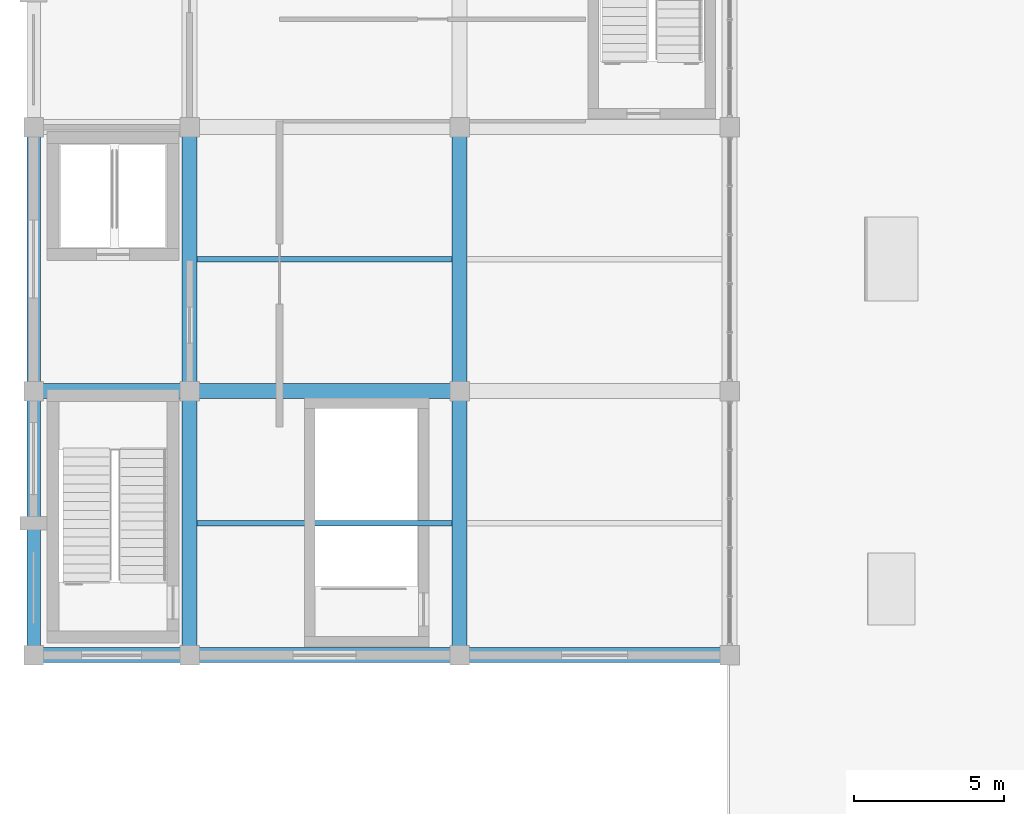
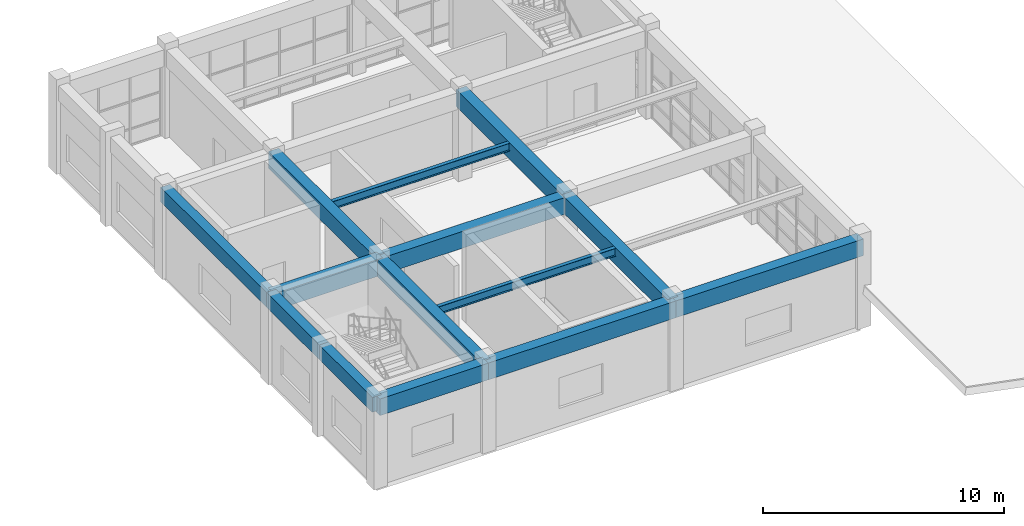
# One storey, part 9 of 99: 14 beams.
"""IFC4 building model written with IfcOpenShell, lengths in metres."""

from ifc_helpers import new_model, si_unit, direction, frame, origin, origin_2d, place, context, subcontext, project, spatial, rectangle, i_section, extrude, material, material_profile, profile_set, type_object, element, save


model = new_model("IFC4")

# Units and contexts
model_context = context("Model", 3, precision=1e-05, world=origin(), true_north=direction((0.0, 1.0)))
body_context = subcontext(model_context, "Body", "Model", "MODEL_VIEW")
ifc_project = project(units=[si_unit("LENGTHUNIT", "METRE"), si_unit("AREAUNIT", "SQUARE_METRE"), si_unit("VOLUMEUNIT", "CUBIC_METRE"), si_unit("PLANEANGLEUNIT", "RADIAN"), si_unit("MASSUNIT", "GRAM", prefix="KILO")], contexts=[model_context])

# Site, building, storey
site_placement = place(None, origin())
site = spatial("IfcSite", under=ifc_project, at=site_placement, CompositionType="ELEMENT")
building_placement = place(site_placement, origin())
building = spatial("IfcBuilding", under=site, at=building_placement, Name="Ventoquebrada Cableway Terminal", CompositionType="ELEMENT")
storey_placement = place(building_placement, frame((0.0, 0.0, 9.60009765625)))
storey = spatial("IfcBuildingStorey", under=building, at=storey_placement, Name="L02", CompositionType="ELEMENT", Elevation=9.60009765625)

# Beams
ifc_material_1 = material(Name="Concrete C40/50", Category="concrete")
ifc_material_profile_1 = material_profile(ifc_material_1, rectangle(XDim=0.5, YDim=0.85009765625, at=origin_2d()), Name="RC-BM-500X850")
ifc_profile_set_1 = profile_set([ifc_material_profile_1], Name="Concrete C40/50")
beam_type_1 = type_object("IfcBeamType", Name="BM-RC04", PredefinedType="BEAM", material=ifc_profile_set_1)
beam_1_placement = place(storey_placement, frame((3.0, 11.800048828125, 4.039794921875), z_axis=(1.0, 0.0, 0.0), x_axis=(0.0, 1.0, 0.0)))
element("IfcBeam", 1, at=beam_1_placement, inside=storey, type_object=beam_type_1, Name="Primary frame girder FBM-0203", PredefinedType="BEAM", context=body_context, shape_type="SweptSolid", body=[
    extrude(rectangle(XDim=0.5, YDim=0.85009765625, at=origin_2d()), origin(), (0.0, 0.0, 1.0), 5.199951171875),
])
for number, where, z_axis, x_axis, name in (
    (2, (8.199951171875, 11.800048828125, 4.039794921875), (1.0, 0.0, 0.0), (0.0, 1.0, 0.0), "Primary frame girder FBM-0204"),
    (3, (17.199951171875, 11.800048828125, 4.039794921875), (1.0, 0.0, 0.0), (0.0, 1.0, 0.0), "Primary frame girder FBM-0205"),
):
    element("IfcBeam", number, at=place(storey_placement, frame(where, z_axis=z_axis, x_axis=x_axis)), inside=storey, type_object=beam_type_1, Name=name, PredefinedType="BEAM", context=body_context, shape_type="SweptSolid", body=[
        extrude(rectangle(XDim=0.5, YDim=0.85009765625, at=origin_2d()), origin(), (0.0, 0.0, 1.0), 9.0),
    ])
beam_2_placement = place(storey_placement, frame((3.0, 20.60009765625, 4.039794921875), z_axis=(1.0, 0.0, 0.0), x_axis=(0.0, 1.0, 0.0)))
element("IfcBeam", 4, at=beam_2_placement, inside=storey, type_object=beam_type_1, Name="Primary frame girder FBM-0206", PredefinedType="BEAM", context=body_context, shape_type="SweptSolid", body=[
    extrude(rectangle(XDim=0.5, YDim=0.85009765625, at=origin_2d()), origin(), (0.0, 0.0, 1.0), 5.199951171875),
])
beam_3_placement = place(storey_placement, frame((8.199951171875, 20.60009765625, 4.039794921875), z_axis=(1.0, 0.0, 0.0), x_axis=(0.0, 1.0, 0.0)))
element("IfcBeam", 5, at=beam_3_placement, inside=storey, type_object=beam_type_1, Name="Primary frame girder FBM-0207", PredefinedType="BEAM", context=body_context, shape_type="SweptSolid", body=[
    extrude(rectangle(XDim=0.5, YDim=0.85009765625, at=origin_2d()), origin(), (0.0, 0.0, 1.0), 9.0),
])
beam_4_placement = place(storey_placement, frame((8.199951171875, 11.800048828125, 4.039794921875), z_axis=(0.0, 1.0, 0.0), x_axis=(-1.0, 0.0, 0.0)))
element("IfcBeam", 6, at=beam_4_placement, inside=storey, type_object=beam_type_1, Name="Primary frame girder FBM-0220", PredefinedType="BEAM", context=body_context, shape_type="SweptSolid", body=[
    extrude(rectangle(XDim=0.5, YDim=0.85009765625, at=origin_2d()), origin(), (0.0, 0.0, 1.0), 8.800048828125),
])
beam_5_placement = place(storey_placement, frame((8.199951171875, 20.60009765625, 4.039794921875), z_axis=(0.0, 1.0, 0.0), x_axis=(-1.0, 0.0, 0.0)))
element("IfcBeam", 7, at=beam_5_placement, inside=storey, type_object=beam_type_1, Name="Primary frame girder FBM-0221", PredefinedType="BEAM", context=body_context, shape_type="SweptSolid", body=[
    extrude(rectangle(XDim=0.5, YDim=0.85009765625, at=origin_2d()), origin(), (0.0, 0.0, 1.0), 8.7998046875),
])
beam_6_placement = place(storey_placement, frame((17.199951171875, 11.800048828125, 4.039794921875), z_axis=(0.0, 1.0, 0.0), x_axis=(-1.0, 0.0, 0.0)))
element("IfcBeam", 8, at=beam_6_placement, inside=storey, type_object=beam_type_1, Name="Primary frame girder FBM-0223", PredefinedType="BEAM", context=body_context, shape_type="SweptSolid", body=[
    extrude(rectangle(XDim=0.5, YDim=0.85009765625, at=origin_2d()), origin(), (0.0, 0.0, 1.0), 8.800048828125),
])
beam_7_placement = place(storey_placement, frame((17.199951171875, 20.60009765625, 4.039794921875), z_axis=(0.0, 1.0, 0.0), x_axis=(-1.0, 0.0, 0.0)))
element("IfcBeam", 9, at=beam_7_placement, inside=storey, type_object=beam_type_1, Name="Primary frame girder FBM-0224", PredefinedType="BEAM", context=body_context, shape_type="SweptSolid", body=[
    extrude(rectangle(XDim=0.5, YDim=0.85009765625, at=origin_2d()), origin(), (0.0, 0.0, 1.0), 8.7998046875),
])
ifc_material_2 = material(Name="Steel ASTM A992 Grade 50", Category="steel")
ifc_material_profile_2 = material_profile(ifc_material_2, i_section(OverallWidth=0.177978515625, OverallDepth=0.406005859375, WebThickness=0.0078125, FlangeThickness=0.0126953125, at=origin_2d()), Name="W16X40")
ifc_profile_set_2 = profile_set([ifc_material_profile_2], Name="Steel ASTM A992 Grade 50")
beam_type_2 = type_object("IfcBeamType", Name="JST-ST06", PredefinedType="JOIST", material=ifc_profile_set_2)
for number, where, z_axis, x_axis, name in (
    (10, (8.449951171875, 16.199951171875, 4.261962890625), (1.0, 0.0, 0.0), (0.0, 1.0, 0.0), "Secondary floor joist JB-005"),
    (11, (8.449951171875, 25.0, 4.261962890625), (1.0, 0.0, 0.0), (0.0, 1.0, 0.0), "Secondary floor joist JB-006"),
):
    element("IfcBeam", number, at=place(storey_placement, frame(where, z_axis=z_axis, x_axis=x_axis)), inside=storey, type_object=beam_type_2, Name=name, PredefinedType="JOIST", context=body_context, shape_type="SweptSolid", body=[
        extrude(i_section(OverallWidth=0.177978515625, OverallDepth=0.406005859375, WebThickness=0.0078125, FlangeThickness=0.0126953125, at=origin_2d()), origin(), (0.0, 0.0, 1.0), 8.5),
    ])
ifc_material_profile_3 = material_profile(ifc_material_1, rectangle(XDim=0.449951171875, YDim=0.75, at=origin_2d()), Name="RC-BM-450X750")
ifc_profile_set_3 = profile_set([ifc_material_profile_3], Name="Concrete C40/50")
beam_type_3 = type_object("IfcBeamType", Name="SP-RC02", PredefinedType="SPANDREL", material=ifc_profile_set_3)
beam_8_placement = place(storey_placement, frame((3.0, 11.800048828125, 4.08984375), z_axis=(0.0, 1.0, 0.0), x_axis=(-1.0, 0.0, 0.0)))
element("IfcBeam", 12, at=beam_8_placement, inside=storey, type_object=beam_type_3, Name="Perimeter spandrel beam FBM-0215", PredefinedType="SPANDREL", context=body_context, shape_type="SweptSolid", body=[
    extrude(rectangle(XDim=0.449951171875, YDim=0.75, at=origin_2d()), origin(), (0.0, 0.0, 1.0), 4.39990234375),
])
beam_9_placement = place(storey_placement, frame((3.0, 16.199951171875, 4.08984375), z_axis=(0.0, 1.0, 0.0), x_axis=(-1.0, 0.0, 0.0)))
element("IfcBeam", 13, at=beam_9_placement, inside=storey, type_object=beam_type_3, Name="Perimeter spandrel beam FBM-0216", PredefinedType="SPANDREL", context=body_context, shape_type="SweptSolid", body=[
    extrude(rectangle(XDim=0.449951171875, YDim=0.75, at=origin_2d()), origin(), (0.0, 0.0, 1.0), 4.400146484375),
])
beam_10_placement = place(storey_placement, frame((3.0, 20.60009765625, 4.08984375), z_axis=(0.0, 1.0, 0.0), x_axis=(-1.0, 0.0, 0.0)))
element("IfcBeam", 14, at=beam_10_placement, inside=storey, type_object=beam_type_3, Name="Perimeter spandrel beam FBM-0217", PredefinedType="SPANDREL", context=body_context, shape_type="SweptSolid", body=[
    extrude(rectangle(XDim=0.449951171875, YDim=0.75, at=origin_2d()), origin(), (0.0, 0.0, 1.0), 8.7998046875),
])

save(model, "model.ifc")
